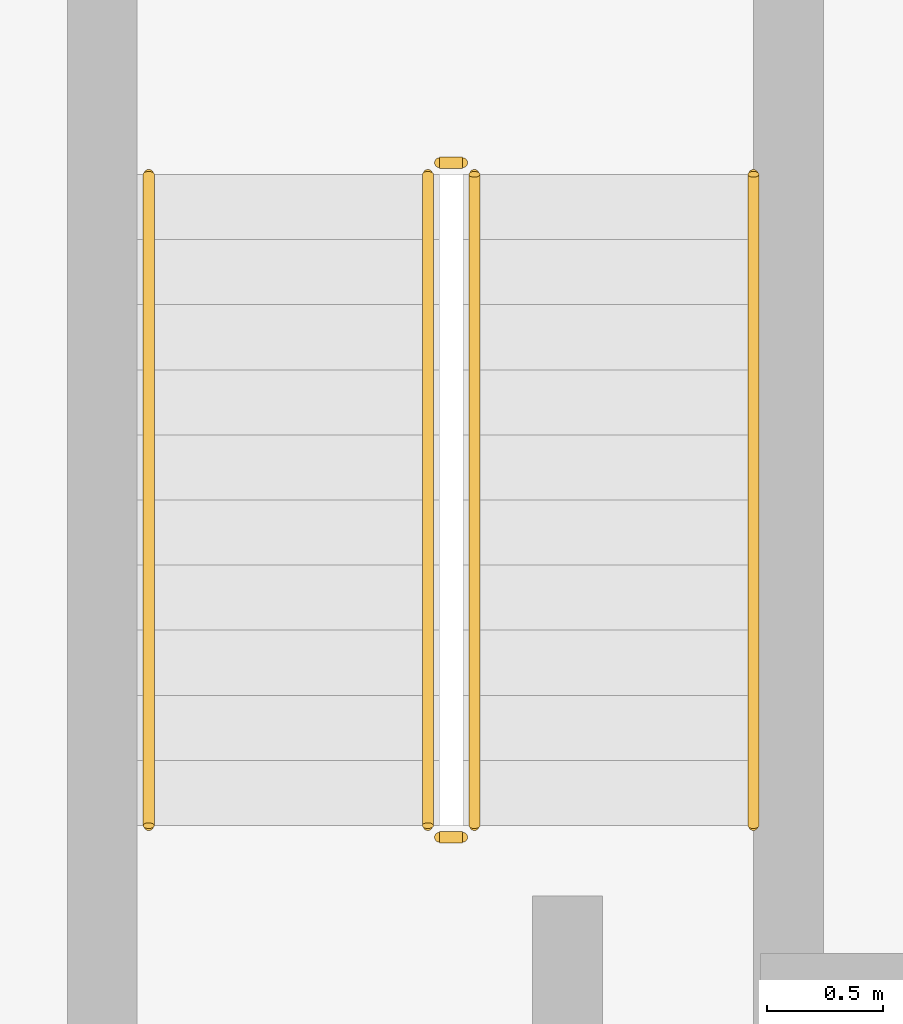
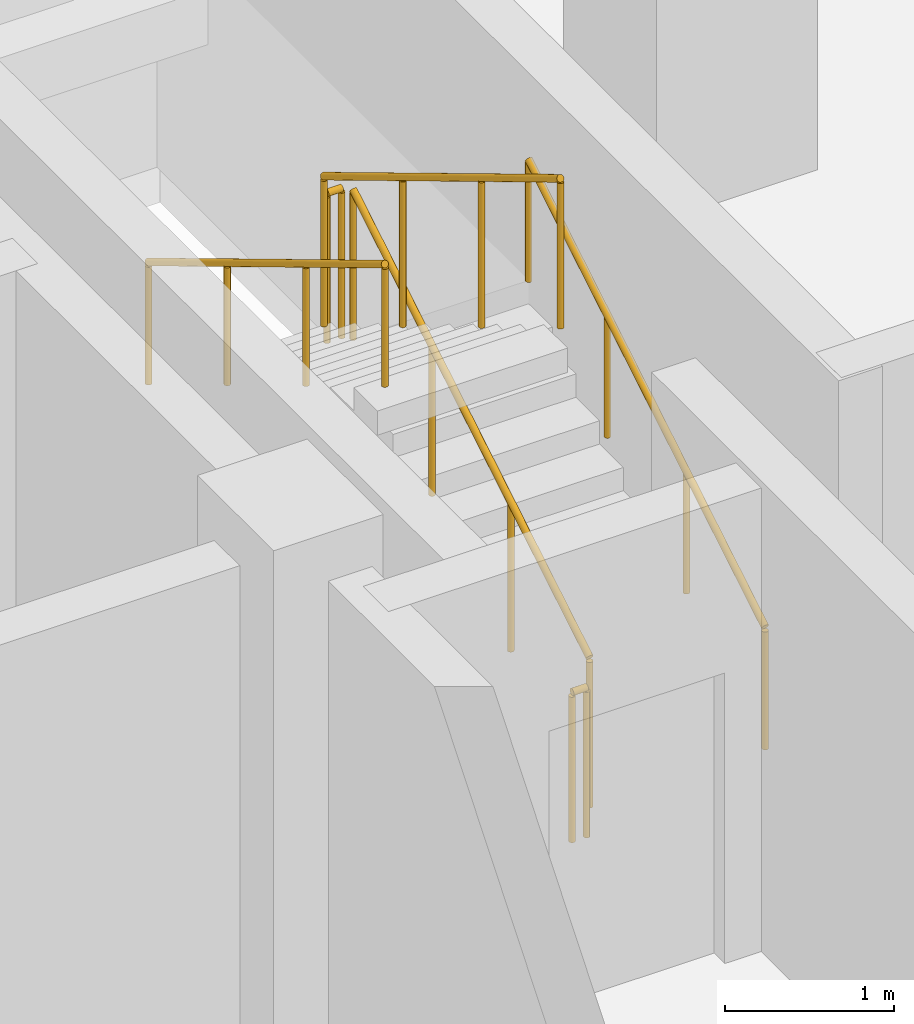
# One storey, part 23 of 23: 6 railings.
"""IFC4 building model written with IfcOpenShell, lengths in metres."""

from ifc_helpers import new_model, si_unit, direction, frame, origin, origin_2d, place, context, subcontext, project, spatial, circle, extrude, material, type_object, element, save


model = new_model("IFC4")

# Units and contexts
model_context = context("Model", 3, precision=1e-05, world=origin(), true_north=direction((0.0, 1.0)))
body_context = subcontext(model_context, "Body", "Model", "MODEL_VIEW")
ifc_project = project(units=[si_unit("LENGTHUNIT", "METRE"), si_unit("AREAUNIT", "SQUARE_METRE"), si_unit("VOLUMEUNIT", "CUBIC_METRE"), si_unit("PLANEANGLEUNIT", "RADIAN"), si_unit("MASSUNIT", "GRAM", prefix="KILO")], contexts=[model_context])

# Site, building, storey
site_placement = place(None, origin())
site = spatial("IfcSite", under=ifc_project, at=site_placement, CompositionType="ELEMENT")
building_placement = place(site_placement, origin())
building = spatial("IfcBuilding", under=site, at=building_placement, Name="Ogive Portal Towers", CompositionType="ELEMENT")
storey_placement = place(building_placement, frame((0.0, 0.0, 186.60009765625)))
storey = spatial("IfcBuildingStorey", under=building, at=storey_placement, Name="L46", CompositionType="ELEMENT", Elevation=186.60009765625)

# Railings
ifc_material_1 = material(Name="Stainless steel balustrade", Category="steel")
railing_type_1 = type_object("IfcRailingType", Name="INT-GUARD", PredefinedType="GUARDRAIL", material=ifc_material_1)
railing_1_placement = place(storey_placement, frame((42.949951171875, 67.199951171875, 0.16796875)))
element("IfcRailing", 1, at=railing_1_placement, inside=storey, type_object=railing_type_1, Name="L46 ST-A3 stair guard 1", PredefinedType="GUARDRAIL", context=body_context, shape_type="SweptSolid", body=[
    extrude(circle(Radius=0.02392578125, at=origin_2d()), frame((0.0, 0.0, 1.076171875), z_axis=(0.0, 0.857242210791, 0.514913383045), x_axis=(-1.0, 0.0, 0.0)), (0.0, 0.0, 1.0), 3.266357421875),
    extrude(circle(Radius=0.02099609375, at=origin_2d()), origin(), (0.0, 0.0, 1.0), 1.052001953125),
    extrude(circle(Radius=0.02099609375, at=origin_2d()), frame((0.0, 0.933349609375, 0.560546875)), (0.0, 0.0, 1.0), 1.052001953125),
    extrude(circle(Radius=0.02099609375, at=origin_2d()), frame((0.0, 1.86669921875, 1.121337890625)), (0.0, 0.0, 1.0), 1.052001953125),
    extrude(circle(Radius=0.02099609375, at=origin_2d()), frame((0.0, 2.800048828125, 1.681884765625)), (0.0, 0.0, 1.0), 1.052001953125),
])
railing_2_placement = place(storey_placement, frame((42.89990234375, 70.050048828125, 1.849853515625)))
element("IfcRailing", 2, at=railing_2_placement, inside=storey, type_object=railing_type_1, Name="L46 ST-A3 stair guard 2", PredefinedType="GUARDRAIL", context=body_context, shape_type="SweptSolid", body=[
    extrude(circle(Radius=0.02392578125, at=origin_2d()), frame((0.0, 0.0, 1.076171875), z_axis=(-1.0, 0.0, 0.0), x_axis=(0.0, -1.0, 0.0)), (0.0, 0.0, 1.0), 0.099853515625),
    extrude(circle(Radius=0.02099609375, at=origin_2d()), origin(), (0.0, 0.0, 1.0), 1.052001953125),
    extrude(circle(Radius=0.02099609375, at=origin_2d()), frame((-0.099853515625, 0.0, 0.0)), (0.0, 0.0, 1.0), 1.052001953125),
])
railing_3_placement = place(storey_placement, frame((42.75, 70.0, 2.01806640625)))
element("IfcRailing", 3, at=railing_3_placement, inside=storey, type_object=railing_type_1, Name="L46 ST-A3 stair guard 3", PredefinedType="GUARDRAIL", context=body_context, shape_type="SweptSolid", body=[
    extrude(circle(Radius=0.02392578125, at=origin_2d()), frame((0.0, 0.0, 1.076171875), z_axis=(0.0, -0.857242210791, 0.514913383045), x_axis=(1.0, 0.0, 0.0)), (0.0, 0.0, 1.0), 3.266357421875),
    extrude(circle(Radius=0.02099609375, at=origin_2d()), origin(), (0.0, 0.0, 1.0), 1.052001953125),
    extrude(circle(Radius=0.02099609375, at=origin_2d()), frame((0.0, -0.933349609375, 0.560546875)), (0.0, 0.0, 1.0), 1.052001953125),
    extrude(circle(Radius=0.02099609375, at=origin_2d()), frame((0.0, -1.86669921875, 1.121337890625)), (0.0, 0.0, 1.0), 1.052001953125),
    extrude(circle(Radius=0.02099609375, at=origin_2d()), frame((0.0, -2.800048828125, 1.681884765625)), (0.0, 0.0, 1.0), 1.052001953125),
])
railing_4_placement = place(storey_placement, frame((42.89990234375, 67.14990234375, 0.0)))
element("IfcRailing", 4, at=railing_4_placement, inside=storey, type_object=railing_type_1, Name="L46 ST-A3 stair guard 4", PredefinedType="GUARDRAIL", context=body_context, shape_type="SweptSolid", body=[
    extrude(circle(Radius=0.02392578125, at=origin_2d()), frame((0.0, 0.0, 1.076171875), z_axis=(-1.0, 0.0, 0.0), x_axis=(0.0, -1.0, 0.0)), (0.0, 0.0, 1.0), 0.099853515625),
    extrude(circle(Radius=0.02099609375, at=origin_2d()), origin(), (0.0, 0.0, 1.0), 1.052001953125),
    extrude(circle(Radius=0.02099609375, at=origin_2d()), frame((-0.099853515625, 0.0, 0.0)), (0.0, 0.0, 1.0), 1.052001953125),
])
ifc_material_2 = material(Name="Stainless steel handrail", Category="steel")
railing_type_2 = type_object("IfcRailingType", Name="INT-HANDRAIL", PredefinedType="HANDRAIL", material=ifc_material_2)
railing_5_placement = place(storey_placement, frame((44.14990234375, 67.199951171875, 0.16796875)))
element("IfcRailing", 5, at=railing_5_placement, inside=storey, type_object=railing_type_2, Name="L46 ST-A3 stair handrail 1", PredefinedType="HANDRAIL", context=body_context, shape_type="SweptSolid", body=[
    extrude(circle(Radius=0.02392578125, at=origin_2d()), frame((0.0, 0.0, 0.8759765625), z_axis=(0.0, 0.857242210791, 0.514913383045), x_axis=(-1.0, 0.0, 0.0)), (0.0, 0.0, 1.0), 3.266357421875),
    extrude(circle(Radius=0.02099609375, at=origin_2d()), origin(), (0.0, 0.0, 1.0), 0.851806640625),
    extrude(circle(Radius=0.02099609375, at=origin_2d()), frame((0.0, 0.933349609375, 0.560546875)), (0.0, 0.0, 1.0), 0.851806640625),
    extrude(circle(Radius=0.02099609375, at=origin_2d()), frame((0.0, 1.86669921875, 1.121337890625)), (0.0, 0.0, 1.0), 0.851806640625),
    extrude(circle(Radius=0.02099609375, at=origin_2d()), frame((0.0, 2.800048828125, 1.681884765625)), (0.0, 0.0, 1.0), 0.851806640625),
])
railing_6_placement = place(storey_placement, frame((41.550048828125, 70.0, 2.01806640625)))
element("IfcRailing", 6, at=railing_6_placement, inside=storey, type_object=railing_type_2, Name="L46 ST-A3 stair handrail 2", PredefinedType="HANDRAIL", context=body_context, shape_type="SweptSolid", body=[
    extrude(circle(Radius=0.02392578125, at=origin_2d()), frame((0.0, 0.0, 0.8759765625), z_axis=(0.0, -0.857242210791, 0.514913383045), x_axis=(1.0, 0.0, 0.0)), (0.0, 0.0, 1.0), 3.266357421875),
    extrude(circle(Radius=0.02099609375, at=origin_2d()), origin(), (0.0, 0.0, 1.0), 0.851806640625),
    extrude(circle(Radius=0.02099609375, at=origin_2d()), frame((0.0, -0.933349609375, 0.560546875)), (0.0, 0.0, 1.0), 0.851806640625),
    extrude(circle(Radius=0.02099609375, at=origin_2d()), frame((0.0, -1.86669921875, 1.121337890625)), (0.0, 0.0, 1.0), 0.851806640625),
    extrude(circle(Radius=0.02099609375, at=origin_2d()), frame((0.0, -2.800048828125, 1.681884765625)), (0.0, 0.0, 1.0), 0.851806640625),
])

save(model, "model.ifc")
